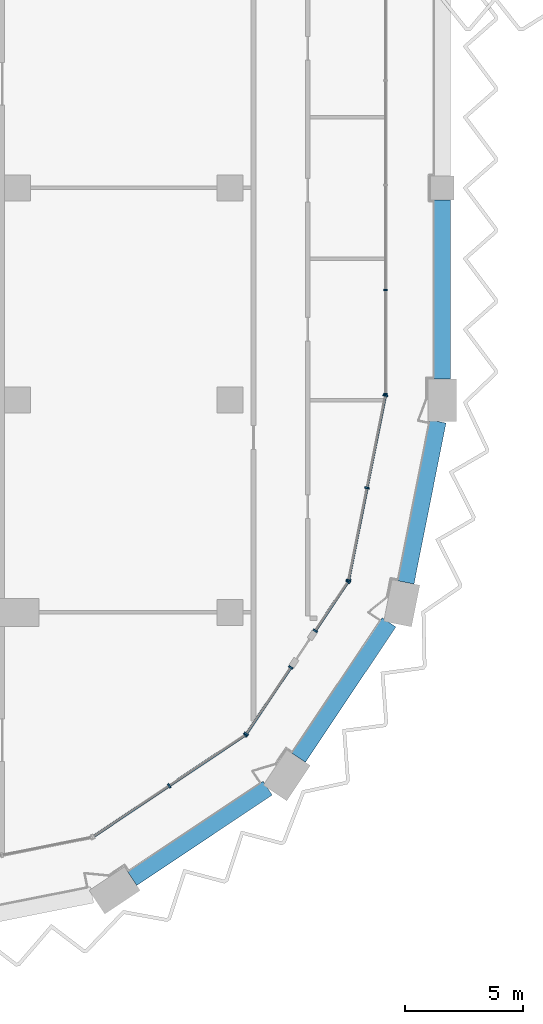
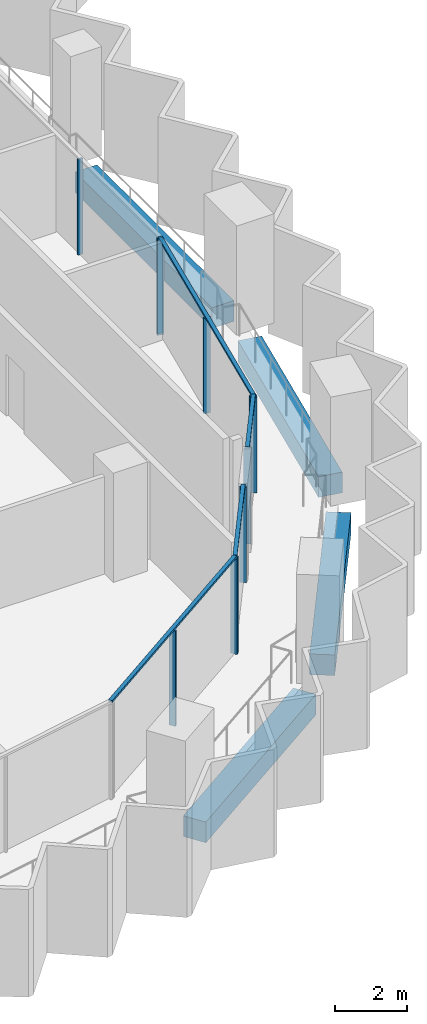
# One storey, part 3 of 17: 15 members, 4 beams, 5 elements without a shape of their own.
"""IFC4 building model written with IfcOpenShell, lengths in metres."""

from ifc_helpers import new_model, si_unit, direction, frame, origin, origin_2d, place, context, subcontext, project, spatial, rectangle, extrude, material, material_profile, profile_set, type_object, element, aggregate, save


model = new_model("IFC4")

# Units and contexts
model_context = context("Model", 3, precision=1e-05, world=origin(), true_north=direction((0.0, 1.0)))
body_context = subcontext(model_context, "Body", "Model", "MODEL_VIEW")
ifc_project = project(units=[si_unit("LENGTHUNIT", "METRE"), si_unit("AREAUNIT", "SQUARE_METRE"), si_unit("VOLUMEUNIT", "CUBIC_METRE"), si_unit("PLANEANGLEUNIT", "RADIAN"), si_unit("MASSUNIT", "GRAM", prefix="KILO")], contexts=[model_context])

# Site, building, storey
site_placement = place(None, origin())
site = spatial("IfcSite", under=ifc_project, at=site_placement, CompositionType="ELEMENT")
building_placement = place(site_placement, origin())
building = spatial("IfcBuilding", under=site, at=building_placement, Name="Hunhe Ridgeline Campus", CompositionType="ELEMENT")
storey_placement = place(building_placement, frame((0.0, 0.0, 197.60009765625)))
storey = spatial("IfcBuildingStorey", under=building, at=storey_placement, Name="L50", CompositionType="ELEMENT", Elevation=197.60009765625)

# Curtain wall, members
ifc_material_1 = material(Name="Aluminium 6063", Category="aluminium")
curtain_wall_type_1 = type_object("IfcCurtainWallType", Name="Curtain wall CW-1", PredefinedType="NOTDEFINED", material=ifc_material_1)
curtain_wall_1_placement = place(storey_placement, origin())
curtain_wall_1 = element("IfcCurtainWall", 1, at=curtain_wall_1_placement, inside=storey, type_object=curtain_wall_type_1, Name="Curtain wall 11", PredefinedType="NOTDEFINED")
ifc_material_profile_1 = material_profile(ifc_material_1, rectangle(XDim=0.159912109375, YDim=0.06005859375, at=origin_2d()))
ifc_profile_set_1 = profile_set([ifc_material_profile_1], Name="Aluminium 6063")
member_type_1 = type_object("IfcMemberType", Name="CW-1 aluminium mullion", PredefinedType="MULLION", material=ifc_profile_set_1)
member_1_placement = place(storey_placement, frame((42.59912109375, 36.266357421875, 0.0), z_axis=(0.0, 0.0, 1.0), x_axis=(-0.999999999978, 6.642653e-06, 0.0)))
member_1 = element("IfcMember", 2, at=member_1_placement, type_object=member_type_1, Name="CW-1 mullion 1", PredefinedType="MULLION", context=body_context, shape_type="SweptSolid", body=[
    extrude(rectangle(XDim=0.159912109375, YDim=0.06005859375, at=origin_2d()), origin(), (0.0, 0.0, 1.0), 3.239990234375),
])
member_2_placement = place(storey_placement, frame((42.59912109375, 40.677490234375, 0.0), z_axis=(0.0, 0.0, 1.0), x_axis=(-0.999999999978, 6.642653e-06, 0.0)))
member_2 = element("IfcMember", 3, at=member_2_placement, type_object=member_type_1, Name="CW-1 mullion 2", PredefinedType="MULLION", context=body_context, shape_type="SweptSolid", body=[
    extrude(rectangle(XDim=0.159912109375, YDim=0.06005859375, at=origin_2d()), origin(), (0.0, 0.0, 1.0), 3.239990234375),
])
aggregate(curtain_wall_1, [member_1, member_2])

curtain_wall_type_2 = type_object("IfcCurtainWallType", Name="Curtain wall CW-5", PredefinedType="NOTDEFINED", material=ifc_material_1)
curtain_wall_2_placement = place(storey_placement, origin())
curtain_wall_2 = element("IfcCurtainWall", 4, at=curtain_wall_2_placement, inside=storey, type_object=curtain_wall_type_2, Name="Curtain wall 07", PredefinedType="NOTDEFINED")
ifc_material_profile_2 = material_profile(ifc_material_1, rectangle(XDim=0.199951171875, YDim=0.070068359375, at=origin_2d()))
ifc_profile_set_2 = profile_set([ifc_material_profile_2], Name="Aluminium 6063")
member_type_2 = type_object("IfcMemberType", Name="CW-5 aluminium mullion", PredefinedType="MULLION", material=ifc_profile_set_2)
member_3_placement = place(storey_placement, frame((33.42626953125, 19.647705078125, 0.0), z_axis=(0.0, 0.0, 1.0), x_axis=(-0.555570274596, 0.831469584522, 0.0)))
member_3 = element("IfcMember", 5, at=member_3_placement, type_object=member_type_2, Name="CW-5 mullion 2", PredefinedType="MULLION", context=body_context, shape_type="SweptSolid", body=[
    extrude(rectangle(XDim=0.199951171875, YDim=0.070068359375, at=origin_2d()), origin(), (0.0, 0.0, 1.0), 3.22998046875),
])
member_4_placement = place(storey_placement, frame((36.649658203125, 21.8017578125, 0.0), z_axis=(0.0, 0.0, 1.0), x_axis=(-0.555570274596, 0.831469584522, 0.0)))
member_4 = element("IfcMember", 6, at=member_4_placement, type_object=member_type_2, Name="CW-5 mullion 3", PredefinedType="MULLION", context=body_context, shape_type="SweptSolid", body=[
    extrude(rectangle(XDim=0.199951171875, YDim=0.070068359375, at=origin_2d()), origin(), (0.0, 0.0, 1.0), 3.22998046875),
])

curtain_wall_3_placement = place(storey_placement, origin())
curtain_wall_3 = element("IfcCurtainWall", 7, at=curtain_wall_3_placement, inside=storey, type_object=curtain_wall_type_2, Name="Curtain wall 08", PredefinedType="NOTDEFINED")
member_5_placement = place(storey_placement, frame((36.6982421875, 21.850341796875, 0.0), z_axis=(0.0, 0.0, 1.0), x_axis=(-0.831469595944, 0.555570257501, 0.0)))
member_5 = element("IfcMember", 8, at=member_5_placement, type_object=member_type_2, Name="CW-5 mullion 1", PredefinedType="MULLION", context=body_context, shape_type="SweptSolid", body=[
    extrude(rectangle(XDim=0.199951171875, YDim=0.070068359375, at=origin_2d()), origin(), (0.0, 0.0, 1.0), 3.22998046875),
])
member_6_placement = place(storey_placement, frame((38.582763671875, 24.67041015625, 0.0), z_axis=(0.0, 0.0, 1.0), x_axis=(-0.831469595944, 0.555570257501, 0.0)))
member_6 = element("IfcMember", 9, at=member_6_placement, type_object=member_type_2, Name="CW-5 mullion 2", PredefinedType="MULLION", context=body_context, shape_type="SweptSolid", body=[
    extrude(rectangle(XDim=0.199951171875, YDim=0.070068359375, at=origin_2d()), origin(), (0.0, 0.0, 1.0), 3.22998046875),
])

curtain_wall_4_placement = place(storey_placement, origin())
curtain_wall_4 = element("IfcCurtainWall", 10, at=curtain_wall_4_placement, inside=storey, type_object=curtain_wall_type_2, Name="Curtain wall 09", PredefinedType="NOTDEFINED")
member_7_placement = place(storey_placement, frame((39.62158203125, 26.225341796875, 0.0), z_axis=(0.0, 0.0, 1.0), x_axis=(-0.831469510353, 0.555570385598, 0.0)))
member_7 = element("IfcMember", 11, at=member_7_placement, type_object=member_type_2, Name="CW-5 mullion 1", PredefinedType="MULLION", context=body_context, shape_type="SweptSolid", body=[
    extrude(rectangle(XDim=0.199951171875, YDim=0.070068359375, at=origin_2d()), origin(), (0.0, 0.0, 1.0), 3.22998046875),
])
member_8_placement = place(storey_placement, frame((41.006103515625, 28.29736328125, 0.0), z_axis=(0.0, 0.0, 1.0), x_axis=(-0.831469510353, 0.555570385598, 0.0)))
member_8 = element("IfcMember", 12, at=member_8_placement, type_object=member_type_2, Name="CW-5 mullion 2", PredefinedType="MULLION", context=body_context, shape_type="SweptSolid", body=[
    extrude(rectangle(XDim=0.199951171875, YDim=0.070068359375, at=origin_2d()), origin(), (0.0, 0.0, 1.0), 3.22998046875),
])

curtain_wall_5_placement = place(storey_placement, origin())
curtain_wall_5 = element("IfcCurtainWall", 13, at=curtain_wall_5_placement, inside=storey, type_object=curtain_wall_type_2, Name="Curtain wall 10", PredefinedType="NOTDEFINED")
member_9_placement = place(storey_placement, frame((41.032470703125, 28.36083984375, 0.0), z_axis=(0.0, 0.0, 1.0), x_axis=(-0.980785284939, 0.195090299215, 0.0)))
member_9 = element("IfcMember", 14, at=member_9_placement, type_object=member_type_2, Name="CW-5 mullion 1", PredefinedType="MULLION", context=body_context, shape_type="SweptSolid", body=[
    extrude(rectangle(XDim=0.199951171875, YDim=0.070068359375, at=origin_2d()), origin(), (0.0, 0.0, 1.0), 3.22998046875),
])
member_10_placement = place(storey_placement, frame((41.812255859375, 32.281494140625, 0.0), z_axis=(0.0, 0.0, 1.0), x_axis=(-0.980785284939, 0.195090299215, 0.0)))
member_10 = element("IfcMember", 15, at=member_10_placement, type_object=member_type_2, Name="CW-5 mullion 2", PredefinedType="MULLION", context=body_context, shape_type="SweptSolid", body=[
    extrude(rectangle(XDim=0.199951171875, YDim=0.070068359375, at=origin_2d()), origin(), (0.0, 0.0, 1.0), 3.22998046875),
])
member_11_placement = place(storey_placement, frame((42.59228515625, 36.2021484375, 0.0), z_axis=(0.0, 0.0, 1.0), x_axis=(-0.980785284939, 0.195090299215, 0.0)))
member_11 = element("IfcMember", 16, at=member_11_placement, type_object=member_type_2, Name="CW-5 mullion 3", PredefinedType="MULLION", context=body_context, shape_type="SweptSolid", body=[
    extrude(rectangle(XDim=0.199951171875, YDim=0.070068359375, at=origin_2d()), origin(), (0.0, 0.0, 1.0), 3.22998046875),
])

# Member
ifc_material_profile_3 = material_profile(ifc_material_1, rectangle(XDim=0.1201171875, YDim=0.070068359375, at=origin_2d()))
ifc_profile_set_3 = profile_set([ifc_material_profile_3], Name="Aluminium 6063")
member_type_3 = type_object("IfcMemberType", Name="CW-5 aluminium transom", PredefinedType="USERDEFINED", material=ifc_profile_set_3)
member_12_placement = place(storey_placement, frame((30.173583984375, 17.474365234375, 3.264892578125), z_axis=(0.831473763475, 0.5555640203, 0.0), x_axis=(-0.5555640203, 0.831473763475, 0.0)))
member_12 = element("IfcMember", 17, at=member_12_placement, type_object=member_type_3, Name="CW-5 transom 1", ObjectType="TRANSOM", PredefinedType="USERDEFINED", context=body_context, shape_type="SweptSolid", body=[
    extrude(rectangle(XDim=0.1201171875, YDim=0.070068359375, at=origin_2d()), origin(), (0.0, 0.0, 1.0), 7.823974609375),
])

aggregate(curtain_wall_2, [member_12, member_3, member_4])

member_13_placement = place(storey_placement, frame((36.678955078125, 21.821044921875, 3.264892578125), z_axis=(0.555546133463, 0.831485714606, 0.0), x_axis=(-0.831485714606, 0.555546133463, 0.0)))
member_13 = element("IfcMember", 18, at=member_13_placement, type_object=member_type_3, Name="CW-5 transom 1", ObjectType="TRANSOM", PredefinedType="USERDEFINED", context=body_context, shape_type="SweptSolid", body=[
    extrude(rectangle(XDim=0.1201171875, YDim=0.070068359375, at=origin_2d()), origin(), (0.0, 0.0, 1.0), 3.462158203125),
])

aggregate(curtain_wall_3, [member_13, member_5, member_6])

member_14_placement = place(storey_placement, frame((39.602294921875, 26.1962890625, 3.264892578125), z_axis=(0.555579547735, 0.831463388334, 0.0), x_axis=(-0.831463388334, 0.555579547735, 0.0)))
member_14 = element("IfcMember", 19, at=member_14_placement, type_object=member_type_3, Name="CW-5 transom 1", ObjectType="TRANSOM", PredefinedType="USERDEFINED", context=body_context, shape_type="SweptSolid", body=[
    extrude(rectangle(XDim=0.1201171875, YDim=0.070068359375, at=origin_2d()), origin(), (0.0, 0.0, 1.0), 2.56201171875),
])

aggregate(curtain_wall_4, [member_14, member_7, member_8])

member_15_placement = place(storey_placement, frame((41.025634765625, 28.326416015625, 3.264892578125), z_axis=(0.195097290093, 0.980783894341, 0.0), x_axis=(-0.980783894341, 0.195097290093, 0.0)))
member_15 = element("IfcMember", 20, at=member_15_placement, type_object=member_type_3, Name="CW-5 transom 1", ObjectType="TRANSOM", PredefinedType="USERDEFINED", context=body_context, shape_type="SweptSolid", body=[
    extrude(rectangle(XDim=0.1201171875, YDim=0.070068359375, at=origin_2d()), origin(), (0.0, 0.0, 1.0), 8.065185546875),
])

aggregate(curtain_wall_5, [member_15, member_9, member_10, member_11])

# Beams
ifc_material_2 = material(Name="Concrete C50", Category="concrete")
ifc_material_profile_4 = material_profile(ifc_material_2, rectangle(XDim=0.699951171875, YDim=0.699951171875, at=origin_2d()))
ifc_profile_set_4 = profile_set([ifc_material_profile_4], Name="Concrete C50")
beam_type = type_object("IfcBeamType", Name="RC spandrel beam 700x700 Concrete C50", PredefinedType="SPANDREL", material=ifc_profile_set_4)
for number, where, z_axis, x_axis, name in (
    (21, (31.858642578125, 15.712646484375, -0.60009765625), (0.831467796868, 0.55557295, 0.0), (-0.55557295, 0.831467796868, 0.0), "Spandrel beam B3-6 L50"),
    (22, (38.909912109375, 20.83837890625, -0.60009765625), (0.55557295, 0.831467796868, 0.0), (-0.831467796868, 0.55557295, 0.0), "Spandrel beam B3-7 L50"),
):
    element("IfcBeam", number, at=place(storey_placement, frame(where, z_axis=z_axis, x_axis=x_axis)), inside=storey, type_object=beam_type, Name=name, PredefinedType="SPANDREL", context=body_context, shape_type="SweptSolid", body=[
        extrude(rectangle(XDim=0.699951171875, YDim=0.699951171875, at=origin_2d()), origin(), (0.0, 0.0, 1.0), 6.905029296875),
    ])
beam_1_placement = place(storey_placement, frame((43.462890625, 28.272216796875, -0.60009765625), z_axis=(0.195090923217, 0.980785160817, 0.0), x_axis=(-0.980785160817, 0.195090923217, 0.0)))
element("IfcBeam", 23, at=beam_1_placement, inside=storey, type_object=beam_type, Name="Spandrel beam B3-8 L50", PredefinedType="SPANDREL", context=body_context, shape_type="SweptSolid", body=[
    extrude(rectangle(XDim=0.699951171875, YDim=0.699951171875, at=origin_2d()), origin(), (0.0, 0.0, 1.0), 6.961669921875),
])
beam_2_placement = place(storey_placement, frame((45.0, 36.89990234375, -0.60009765625), z_axis=(0.0, 1.0, 0.0), x_axis=(-1.0, 0.0, 0.0)))
element("IfcBeam", 24, at=beam_2_placement, inside=storey, type_object=beam_type, Name="Spandrel beam B3-9 L50", PredefinedType="SPANDREL", context=body_context, shape_type="SweptSolid", body=[
    extrude(rectangle(XDim=0.699951171875, YDim=0.699951171875, at=origin_2d()), origin(), (0.0, 0.0, 1.0), 7.60009765625),
])

save(model, "model.ifc")
